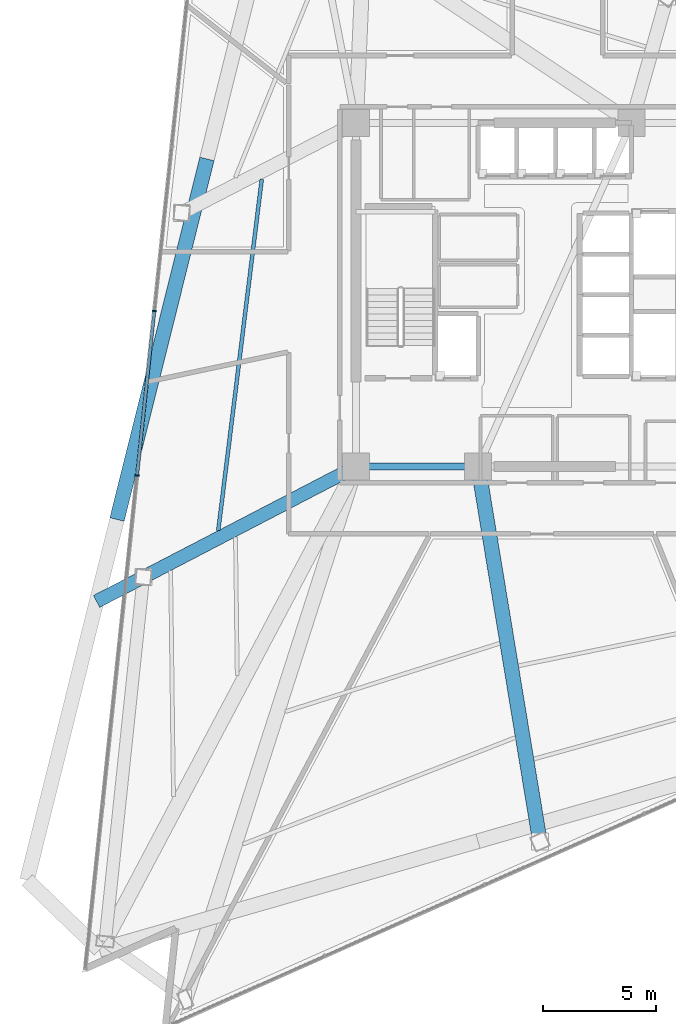
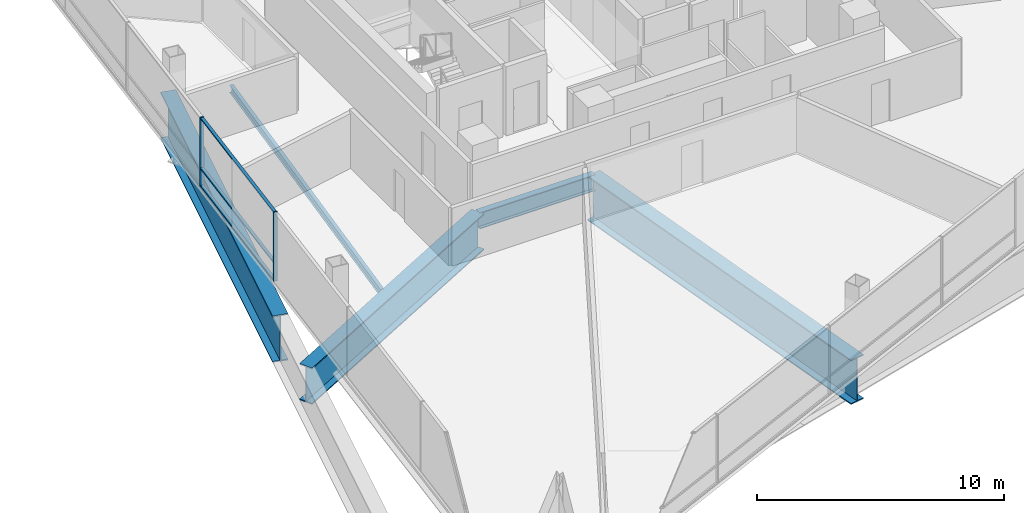
# One storey, part 4 of 17: 5 beams, 5 members, 1 element without a shape of its own.
"""IFC4 building model written with IfcOpenShell, lengths in metres."""

from ifc_helpers import new_model, si_unit, direction, frame, origin, origin_2d, place, context, subcontext, project, spatial, rectangle, i_section, extrude, material, layer, layer_set, material_profile, profile_set, type_object, element, aggregate, save


model = new_model("IFC4")

# Units and contexts
model_context = context("Model", 3, precision=1e-05, world=origin(), true_north=direction((0.0, 1.0)))
body_context = subcontext(model_context, "Body", "Model", "MODEL_VIEW")
ifc_project = project(units=[si_unit("LENGTHUNIT", "METRE"), si_unit("AREAUNIT", "SQUARE_METRE"), si_unit("VOLUMEUNIT", "CUBIC_METRE"), si_unit("PLANEANGLEUNIT", "RADIAN"), si_unit("MASSUNIT", "GRAM", prefix="KILO")], contexts=[model_context])

# Site, building, storey
site_placement = place(None, origin())
site = spatial("IfcSite", under=ifc_project, at=site_placement, CompositionType="ELEMENT")
building_placement = place(site_placement, origin())
building = spatial("IfcBuilding", under=site, at=building_placement, Name="Tharavind Bronze Gate", CompositionType="ELEMENT")
storey_placement = place(building_placement, frame((0.0, 0.0, 112.449951171875)))
storey = spatial("IfcBuildingStorey", under=building, at=storey_placement, Name="L28", CompositionType="ELEMENT", Elevation=112.449951171875)

# Curtain wall, members
ifc_material_1 = material(Name="Anodised Bronze Aluminium", Category="aluminium")
ifc_layer = layer(ifc_material_1, 0.219970703125)
ifc_layer_set = layer_set([ifc_layer], Name="Anodised Bronze Aluminium")
curtain_wall_type = type_object("IfcCurtainWallType", Name="UNITISED CURTAIN WALL LOWER OFFICE", PredefinedType="USERDEFINED", material=ifc_layer_set)
curtain_wall_placement = place(storey_placement, origin())
curtain_wall = element("IfcCurtainWall", 1, at=curtain_wall_placement, inside=storey, type_object=curtain_wall_type, Name="L28 unitised curtain wall lower office CW-L28-S1", ObjectType="UNITISED CURTAIN WALL", PredefinedType="USERDEFINED")
member_type_1 = type_object("IfcMemberType", Name="CURTAIN WALL BRONZE MULLION 65X180", PredefinedType="MULLION", material=ifc_material_1)
member_1_placement = place(storey_placement, frame((-17.82080078125, -0.71826171875, 0.0), z_axis=(0.0, 0.0, 1.0), x_axis=(-0.104526727499, -0.994522077803, 0.0)))
member_1 = element("IfcMember", 2, at=member_1_placement, type_object=member_type_1, Name="CW-L28-S1 mullion 4", PredefinedType="MULLION", context=body_context, shape_type="SweptSolid", body=[
    extrude(rectangle(XDim=0.06494140625, YDim=0.179931640625, at=origin_2d()), origin(), (0.0, 0.0, 1.0), 3.409912109375),
])
member_2_placement = place(storey_placement, frame((-18.58544921875, -7.991455078125, 0.0), z_axis=(0.0, 0.0, 1.0), x_axis=(-0.104526727499, -0.994522077803, 0.0)))
member_2 = element("IfcMember", 3, at=member_2_placement, type_object=member_type_1, Name="CW-L28-S1 mullion 5", PredefinedType="MULLION", context=body_context, shape_type="SweptSolid", body=[
    extrude(rectangle(XDim=0.06494140625, YDim=0.179931640625, at=origin_2d()), origin(), (0.0, 0.0, 1.0), 3.409912109375),
])
member_type_2 = type_object("IfcMemberType", Name="CURTAIN WALL BRONZE TRANSOM 65X140", PredefinedType="USERDEFINED", material=ifc_material_1)
member_3_placement = place(storey_placement, frame((-18.203125, -4.354736328125, 0.0), z_axis=(0.0, 0.0, 1.0), x_axis=(-0.104526727499, -0.994522077803, 0.0)))
member_3 = element("IfcMember", 4, at=member_3_placement, type_object=member_type_2, Name="CW-L28-S1 transom TB4", ObjectType="TRANSOM", PredefinedType="USERDEFINED", context=body_context, shape_type="SweptSolid", body=[
    extrude(rectangle(XDim=7.26025390625, YDim=0.139892578125, at=origin_2d()), origin(), (0.0, 0.0, 1.0), 0.06494140625),
])
member_4_placement = place(storey_placement, frame((-18.203125, -4.354736328125, 0.86767578125), z_axis=(0.0, 0.0, 1.0), x_axis=(-0.104526727499, -0.994522077803, 0.0)))
member_4 = element("IfcMember", 5, at=member_4_placement, type_object=member_type_2, Name="CW-L28-S1 transom TS4", ObjectType="TRANSOM", PredefinedType="USERDEFINED", context=body_context, shape_type="SweptSolid", body=[
    extrude(rectangle(XDim=7.26025390625, YDim=0.139892578125, at=origin_2d()), origin(), (0.0, 0.0, 1.0), 0.06494140625),
])
member_5_placement = place(storey_placement, frame((-18.203125, -4.354736328125, 3.344970703125), z_axis=(0.0, 0.0, 1.0), x_axis=(-0.104526727499, -0.994522077803, 0.0)))
member_5 = element("IfcMember", 6, at=member_5_placement, type_object=member_type_2, Name="CW-L28-S1 transom TT4", ObjectType="TRANSOM", PredefinedType="USERDEFINED", context=body_context, shape_type="SweptSolid", body=[
    extrude(rectangle(XDim=7.26025390625, YDim=0.139892578125, at=origin_2d()), origin(), (0.0, 0.0, 1.0), 0.06494140625),
])
aggregate(curtain_wall, [member_1, member_2, member_3, member_4, member_5])

# Beams
ifc_material_2 = material(Name="Steel S355", Category="steel")
ifc_material_profile_1 = material_profile(ifc_material_2, i_section(OverallWidth=0.300048828125, OverallDepth=0.800048828125, WebThickness=0.017578125, FlangeThickness=0.032958984375, at=origin_2d()), Name="HE800B")
ifc_profile_set_1 = profile_set([ifc_material_profile_1], Name="Steel S355")
beam_type_1 = type_object("IfcBeamType", Name="RING GIRDER HE800B", PredefinedType="USERDEFINED", material=ifc_profile_set_1)
beam_1_placement = place(storey_placement, frame((-8.89990234375, -7.60009765625, -0.58984375), z_axis=(1.0, 0.0, 0.0), x_axis=(0.0, 1.0, 0.0)))
element("IfcBeam", 7, at=beam_1_placement, inside=storey, type_object=beam_type_1, Name="L28 ring girder he800b BM-L28-CR1", ObjectType="GIRDER", PredefinedType="USERDEFINED", context=body_context, shape_type="SweptSolid", body=[
    extrude(i_section(OverallWidth=0.300048828125, OverallDepth=0.800048828125, WebThickness=0.017578125, FlangeThickness=0.032958984375, at=origin_2d()), origin(), (0.0, 0.0, 1.0), 5.39990234375),
])
ifc_material_profile_2 = material_profile(ifc_material_2, i_section(OverallWidth=0.169921875, OverallDepth=0.360107421875, WebThickness=0.008056640625, FlangeThickness=0.0126953125, at=origin_2d()), Name="IPE360")
ifc_profile_set_2 = profile_set([ifc_material_profile_2], Name="Steel S355")
beam_type_2 = type_object("IfcBeamType", Name="SECONDARY FLOOR JOIST IPE360", PredefinedType="JOIST", material=ifc_profile_set_2)
beam_2_placement = place(storey_placement, frame((-13.0703125, 5.10693359375, -0.369873046875), z_axis=(-0.1229173131, -0.992416915485, 0.0), x_axis=(0.992416915485, -0.1229173131, 0.0)))
element("IfcBeam", 8, at=beam_2_placement, inside=storey, type_object=beam_type_2, Name="L28 secondary floor joist ipe360 BM-L28-JSTA02", PredefinedType="JOIST", context=body_context, shape_type="SweptSolid", body=[
    extrude(i_section(OverallWidth=0.169921875, OverallDepth=0.360107421875, WebThickness=0.008056640625, FlangeThickness=0.0126953125, at=origin_2d()), origin(), (0.0, 0.0, 1.0), 15.6513671875),
])
ifc_material_3 = material(Name="Steel S460", Category="steel")
ifc_material_profile_3 = material_profile(ifc_material_3, i_section(OverallWidth=0.60009765625, OverallDepth=1.800048828125, WebThickness=0.031982421875, FlangeThickness=0.054931640625, at=origin_2d()), Name="PG1800X600")
ifc_profile_set_3 = profile_set([ifc_material_profile_3], Name="Steel S460")
beam_type_3 = type_object("IfcBeamType", Name="TRANSFER GIRDER 1800X600", PredefinedType="USERDEFINED", material=ifc_profile_set_3)
beam_3_placement = place(storey_placement, frame((-8.89990234375, -7.60009765625, -1.08984375), z_axis=(-0.887298689254, -0.461195225526, 0.0), x_axis=(0.461195225526, -0.887298689254, 0.0)))
element("IfcBeam", 9, at=beam_3_placement, inside=storey, type_object=beam_type_3, Name="L28 transfer girder 1800x600 BM-L28-XFR03", ObjectType="TRANSFER GIRDER", PredefinedType="USERDEFINED", context=body_context, shape_type="SweptSolid", body=[
    extrude(i_section(OverallWidth=0.60009765625, OverallDepth=1.800048828125, WebThickness=0.031982421875, FlangeThickness=0.054931640625, at=origin_2d()), origin(), (0.0, 0.0, 1.0), 12.933349609375),
])
ifc_material_profile_4 = material_profile(ifc_material_3, i_section(OverallWidth=0.64990234375, OverallDepth=2.199951171875, WebThickness=0.035888671875, FlangeThickness=0.054931640625, at=origin_2d()), Name="PG2200X650")
ifc_profile_set_4 = profile_set([ifc_material_profile_4], Name="Steel S460")
beam_type_4 = type_object("IfcBeamType", Name="TRANSFER GIRDER 2200X650", PredefinedType="USERDEFINED", material=ifc_profile_set_4)
beam_4_placement = place(storey_placement, frame((-3.5, -7.60009765625, -1.2900390625), z_axis=(0.162604251404, -0.986691368882, 0.0), x_axis=(0.986691368882, 0.162604251404, 0.0)))
element("IfcBeam", 10, at=beam_4_placement, inside=storey, type_object=beam_type_4, Name="L28 transfer girder 2200x650 BM-L28-XFR06", ObjectType="TRANSFER GIRDER", PredefinedType="USERDEFINED", context=body_context, shape_type="SweptSolid", body=[
    extrude(i_section(OverallWidth=0.64990234375, OverallDepth=2.199951171875, WebThickness=0.035888671875, FlangeThickness=0.054931640625, at=origin_2d()), origin(), (0.0, 0.0, 1.0), 16.8115234375),
])
ifc_material_profile_5 = material_profile(ifc_material_3, i_section(OverallWidth=0.64990234375, OverallDepth=2.300048828125, WebThickness=0.035888671875, FlangeThickness=0.05810546875, at=origin_2d()), Name="PG2300X650")
ifc_profile_set_5 = profile_set([ifc_material_profile_5], Name="Steel S460")
beam_type_5 = type_object("IfcBeamType", Name="TRANSFER GIRDER 2300X650", PredefinedType="USERDEFINED", material=ifc_profile_set_5)
beam_5_placement = place(storey_placement, frame((-15.495849609375, 6.006591796875, -1.33984375), z_axis=(-0.241930849107, -0.970293493872, 0.0), x_axis=(0.970293493872, -0.241930849107, 0.0)))
element("IfcBeam", 11, at=beam_5_placement, inside=storey, type_object=beam_type_5, Name="L28 transfer girder 2300x650 BM-L28-LRG02", ObjectType="TRANSFER GIRDER", PredefinedType="USERDEFINED", context=body_context, shape_type="SweptSolid", body=[
    extrude(i_section(OverallWidth=0.64990234375, OverallDepth=2.300048828125, WebThickness=0.035888671875, FlangeThickness=0.05810546875, at=origin_2d()), origin(), (0.0, 0.0, 1.0), 16.433837890625),
])

save(model, "model.ifc")
